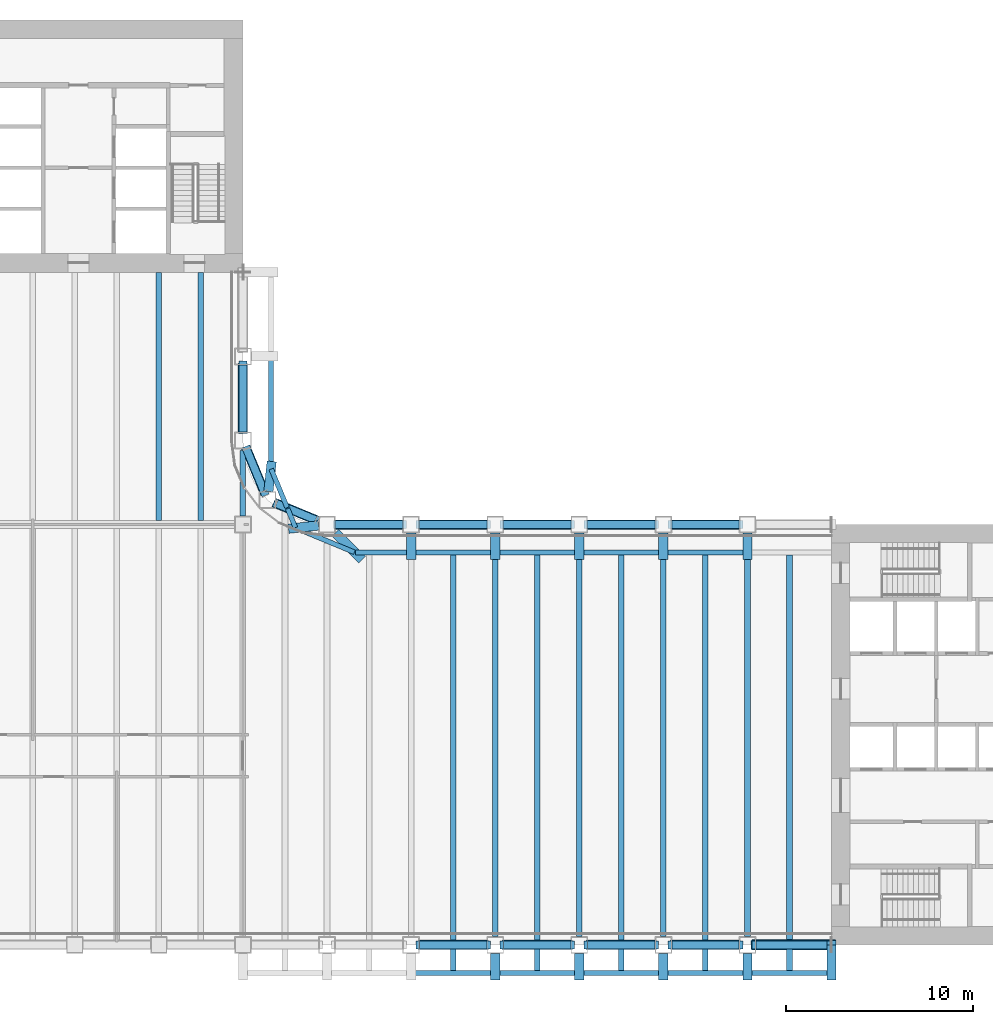
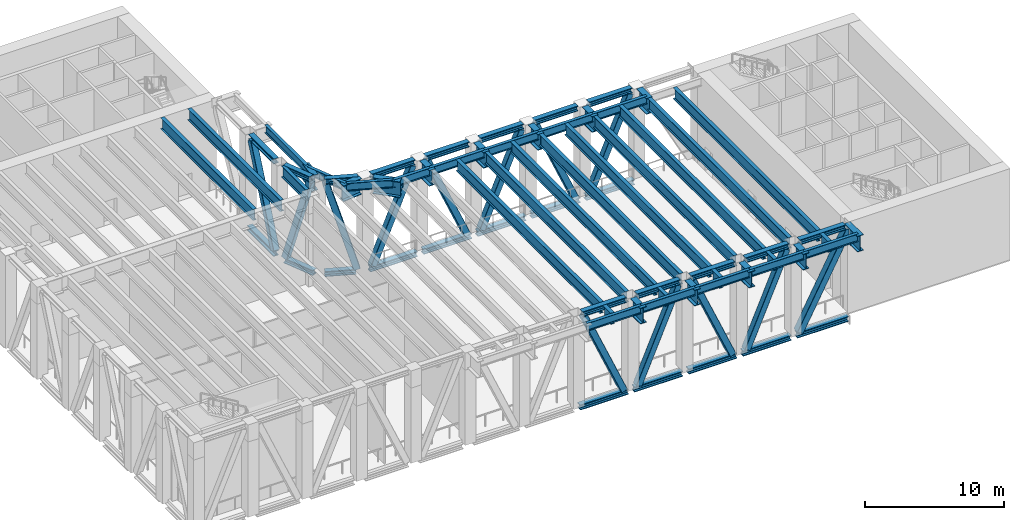
# One storey, part 2 of 16: 44 beams, 39 members.
"""IFC4 building model written with IfcOpenShell, lengths in metres."""

from ifc_helpers import new_model, si_unit, direction, frame, origin, origin_2d, place, context, subcontext, project, spatial, hollow_rectangle, i_section, extrude, material, material_profile, profile_set, type_object, element, save


model = new_model("IFC4")

# Units and contexts
model_context = context("Model", 3, precision=1e-05, world=origin(), true_north=direction((0.0, 1.0)))
body_context = subcontext(model_context, "Body", "Model", "MODEL_VIEW")
ifc_project = project(units=[si_unit("LENGTHUNIT", "METRE"), si_unit("AREAUNIT", "SQUARE_METRE"), si_unit("VOLUMEUNIT", "CUBIC_METRE"), si_unit("PLANEANGLEUNIT", "RADIAN"), si_unit("MASSUNIT", "GRAM", prefix="KILO")], contexts=[model_context])

# Site, building, storey
site_placement = place(None, origin())
site = spatial("IfcSite", under=ifc_project, at=site_placement, CompositionType="ELEMENT")
building_placement = place(site_placement, origin())
building = spatial("IfcBuilding", under=site, at=building_placement, Name="Sennacour Bend Tower", CompositionType="ELEMENT")
storey_placement = place(building_placement, frame((0.0, 0.0, 187.0)))
storey = spatial("IfcBuildingStorey", under=building, at=storey_placement, Name="L43", CompositionType="ELEMENT", Elevation=187.0)

# Members
ifc_material_1 = material(Name="Steel ASTM A992 Grade 50", Category="steel")
ifc_material_profile_1 = material_profile(ifc_material_1, i_section(OverallWidth=0.4189453125, OverallDepth=0.455078125, WebThickness=0.042236328125, FlangeThickness=0.067626953125, FilletRadius=0.01513671875, at=origin_2d()), Name="Steel ASTM A992 Grade 50", Category="steel")
ifc_profile_set_1 = profile_set([ifc_material_profile_1], Name="Steel ASTM A992 Grade 50")
member_type_1 = type_object("IfcMemberType", Name="Belt truss chord W360X551", PredefinedType="CHORD", material=ifc_profile_set_1)
member_1_placement = place(storey_placement, frame((22.5, 31.25, -0.4775390625), z_axis=(0.0, -1.0, 0.0), x_axis=(1.0, 0.0, 0.0)))
element("IfcMember", 1, at=member_1_placement, inside=storey, type_object=member_type_1, Name="Belt truss chord BC L43-005", PredefinedType="CHORD", context=body_context, shape_type="SweptSolid", body=[
    extrude(i_section(OverallWidth=0.4189453125, OverallDepth=0.455078125, WebThickness=0.042236328125, FlangeThickness=0.067626953125, FilletRadius=0.01513671875, at=origin_2d()), origin(), (0.0, 0.0, 1.0), 3.794677734375),
])
member_2_placement = place(storey_placement, frame((22.699462890625, 26.5185546875, -0.4775390625), z_axis=(0.38263523203, -0.923899496271, 0.0), x_axis=(0.923899496271, 0.38263523203, 0.0)))
element("IfcMember", 2, at=member_2_placement, inside=storey, type_object=member_type_1, Name="Belt truss chord BC L43-006", PredefinedType="CHORD", context=body_context, shape_type="SweptSolid", body=[
    extrude(i_section(OverallWidth=0.4189453125, OverallDepth=0.455078125, WebThickness=0.042236328125, FlangeThickness=0.067626953125, FilletRadius=0.01513671875, at=origin_2d()), origin(), (0.0, 0.0, 1.0), 2.66259765625),
])
member_3_placement = place(storey_placement, frame((24.29931640625, 23.61865234375, -0.4775390625), z_axis=(0.923883125943, -0.382674756939, 0.0), x_axis=(0.382674756939, 0.923883125943, 0.0)))
element("IfcMember", 3, at=member_3_placement, inside=storey, type_object=member_type_1, Name="Belt truss chord BC L43-007", PredefinedType="CHORD", context=body_context, shape_type="SweptSolid", body=[
    extrude(i_section(OverallWidth=0.4189453125, OverallDepth=0.455078125, WebThickness=0.042236328125, FlangeThickness=0.067626953125, FilletRadius=0.01513671875, at=origin_2d()), origin(), (0.0, 0.0, 1.0), 2.27001953125),
])
member_4_placement = place(storey_placement, frame((27.353515625, 22.5, -0.4775390625), z_axis=(1.0, 0.0, 0.0), x_axis=(0.0, 1.0, 0.0)))
element("IfcMember", 4, at=member_4_placement, inside=storey, type_object=member_type_1, Name="Belt truss chord BC L43-008", PredefinedType="CHORD", context=body_context, shape_type="SweptSolid", body=[
    extrude(i_section(OverallWidth=0.4189453125, OverallDepth=0.455078125, WebThickness=0.042236328125, FlangeThickness=0.067626953125, FilletRadius=0.01513671875, at=origin_2d()), origin(), (0.0, 0.0, 1.0), 3.896484375),
])
for number, where, z_axis, x_axis, name in (
    (5, (31.75, 22.5, -0.4775390625), (1.0, 0.0, 0.0), (0.0, 1.0, 0.0), "Belt truss chord BC L43-009"),
    (6, (36.25, 22.5, -0.4775390625), (1.0, 0.0, 0.0), (0.0, 1.0, 0.0), "Belt truss chord BC L43-010"),
    (7, (40.75, 22.5, -0.4775390625), (1.0, 0.0, 0.0), (0.0, 1.0, 0.0), "Belt truss chord BC L43-011"),
    (8, (45.25, 22.5, -0.4775390625), (1.0, 0.0, 0.0), (0.0, 1.0, 0.0), "Belt truss chord BC L43-012"),
):
    element("IfcMember", number, at=place(storey_placement, frame(where, z_axis=z_axis, x_axis=x_axis)), inside=storey, type_object=member_type_1, Name=name, PredefinedType="CHORD", context=body_context, shape_type="SweptSolid", body=[
        extrude(i_section(OverallWidth=0.4189453125, OverallDepth=0.455078125, WebThickness=0.042236328125, FlangeThickness=0.067626953125, FilletRadius=0.01513671875, at=origin_2d()), origin(), (0.0, 0.0, 1.0), 4.0),
    ])
member_5_placement = place(storey_placement, frame((54.0, 0.0, -0.4775390625), z_axis=(-1.0, 0.0, 0.0), x_axis=(0.0, -1.0, 0.0)))
element("IfcMember", 9, at=member_5_placement, inside=storey, type_object=member_type_1, Name="Belt truss chord BC L43-014", PredefinedType="CHORD", context=body_context, shape_type="SweptSolid", body=[
    extrude(i_section(OverallWidth=0.4189453125, OverallDepth=0.455078125, WebThickness=0.042236328125, FlangeThickness=0.067626953125, FilletRadius=0.01513671875, at=origin_2d()), origin(), (0.0, 0.0, 1.0), 4.25),
])
for number, where, z_axis, x_axis, name in (
    (10, (49.25, 0.0, -0.4775390625), (-1.0, 0.0, 0.0), (0.0, -1.0, 0.0), "Belt truss chord BC L43-015"),
    (11, (44.75, 0.0, -0.4775390625), (-1.0, 0.0, 0.0), (0.0, -1.0, 0.0), "Belt truss chord BC L43-016"),
    (12, (40.25, 0.0, -0.4775390625), (-1.0, 0.0, 0.0), (0.0, -1.0, 0.0), "Belt truss chord BC L43-017"),
    (13, (35.75, 0.0, -0.4775390625), (-1.0, 0.0, 0.0), (0.0, -1.0, 0.0), "Belt truss chord BC L43-018"),
):
    element("IfcMember", number, at=place(storey_placement, frame(where, z_axis=z_axis, x_axis=x_axis)), inside=storey, type_object=member_type_1, Name=name, PredefinedType="CHORD", context=body_context, shape_type="SweptSolid", body=[
        extrude(i_section(OverallWidth=0.4189453125, OverallDepth=0.455078125, WebThickness=0.042236328125, FlangeThickness=0.067626953125, FilletRadius=0.01513671875, at=origin_2d()), origin(), (0.0, 0.0, 1.0), 4.0),
    ])
member_6_placement = place(storey_placement, frame((22.5, 31.050048828125, 7.62255859375), z_axis=(0.0, -1.0, 0.0), x_axis=(1.0, 0.0, 0.0)))
element("IfcMember", 14, at=member_6_placement, inside=storey, type_object=member_type_1, Name="Belt truss chord BC L43-005", PredefinedType="CHORD", context=body_context, shape_type="SweptSolid", body=[
    extrude(i_section(OverallWidth=0.4189453125, OverallDepth=0.455078125, WebThickness=0.042236328125, FlangeThickness=0.067626953125, FilletRadius=0.01513671875, at=origin_2d()), origin(), (0.0, 0.0, 1.0), 3.60009765625),
])
member_7_placement = place(storey_placement, frame((22.686279296875, 26.550048828125, 7.62255859375), z_axis=(0.382714667716, -0.923866593787, 0.0), x_axis=(0.923866593787, 0.382714667716, 0.0)))
element("IfcMember", 15, at=member_7_placement, inside=storey, type_object=member_type_1, Name="Belt truss chord BC L43-006", PredefinedType="CHORD", context=body_context, shape_type="SweptSolid", body=[
    extrude(i_section(OverallWidth=0.4189453125, OverallDepth=0.455078125, WebThickness=0.042236328125, FlangeThickness=0.067626953125, FilletRadius=0.01513671875, at=origin_2d()), origin(), (0.0, 0.0, 1.0), 2.436279296875),
])
member_8_placement = place(storey_placement, frame((24.26806640625, 23.631591796875, 7.62255859375), z_axis=(0.923887350004, -0.382664558724, 0.0), x_axis=(0.382664558724, 0.923887350004, 0.0)))
element("IfcMember", 16, at=member_8_placement, inside=storey, type_object=member_type_1, Name="Belt truss chord BC L43-007", PredefinedType="CHORD", context=body_context, shape_type="SweptSolid", body=[
    extrude(i_section(OverallWidth=0.4189453125, OverallDepth=0.455078125, WebThickness=0.042236328125, FlangeThickness=0.067626953125, FilletRadius=0.01513671875, at=origin_2d()), origin(), (0.0, 0.0, 1.0), 2.435791015625),
])
for number, where, z_axis, x_axis, name in (
    (17, (27.449951171875, 22.5, 7.62255859375), (1.0, 0.0, 0.0), (0.0, 1.0, 0.0), "Belt truss chord BC L43-008"),
    (18, (31.949951171875, 22.5, 7.62255859375), (1.0, 0.0, 0.0), (0.0, 1.0, 0.0), "Belt truss chord BC L43-009"),
    (19, (36.449951171875, 22.5, 7.62255859375), (1.0, 0.0, 0.0), (0.0, 1.0, 0.0), "Belt truss chord BC L43-010"),
    (20, (40.949951171875, 22.5, 7.62255859375), (1.0, 0.0, 0.0), (0.0, 1.0, 0.0), "Belt truss chord BC L43-011"),
    (21, (45.449951171875, 22.5, 7.62255859375), (1.0, 0.0, 0.0), (0.0, 1.0, 0.0), "Belt truss chord BC L43-012"),
):
    element("IfcMember", number, at=place(storey_placement, frame(where, z_axis=z_axis, x_axis=x_axis)), inside=storey, type_object=member_type_1, Name=name, PredefinedType="CHORD", context=body_context, shape_type="SweptSolid", body=[
        extrude(i_section(OverallWidth=0.4189453125, OverallDepth=0.455078125, WebThickness=0.042236328125, FlangeThickness=0.067626953125, FilletRadius=0.01513671875, at=origin_2d()), origin(), (0.0, 0.0, 1.0), 3.60009765625),
    ])
member_9_placement = place(storey_placement, frame((53.75, 0.0, 7.62255859375), z_axis=(-1.0, 0.0, 0.0), x_axis=(0.0, -1.0, 0.0)))
element("IfcMember", 22, at=member_9_placement, inside=storey, type_object=member_type_1, Name="Belt truss chord BC L43-014", PredefinedType="CHORD", context=body_context, shape_type="SweptSolid", body=[
    extrude(i_section(OverallWidth=0.4189453125, OverallDepth=0.455078125, WebThickness=0.042236328125, FlangeThickness=0.067626953125, FilletRadius=0.01513671875, at=origin_2d()), origin(), (0.0, 0.0, 1.0), 3.800048828125),
])
for number, where, z_axis, x_axis, name in (
    (23, (49.050048828125, 0.0, 7.62255859375), (-1.0, 0.0, 0.0), (0.0, -1.0, 0.0), "Belt truss chord BC L43-015"),
    (24, (44.550048828125, 0.0, 7.62255859375), (-1.0, 0.0, 0.0), (0.0, -1.0, 0.0), "Belt truss chord BC L43-016"),
    (25, (40.050048828125, 0.0, 7.62255859375), (-1.0, 0.0, 0.0), (0.0, -1.0, 0.0), "Belt truss chord BC L43-017"),
    (26, (35.550048828125, 0.0, 7.62255859375), (-1.0, 0.0, 0.0), (0.0, -1.0, 0.0), "Belt truss chord BC L43-018"),
):
    element("IfcMember", number, at=place(storey_placement, frame(where, z_axis=z_axis, x_axis=x_axis)), inside=storey, type_object=member_type_1, Name=name, PredefinedType="CHORD", context=body_context, shape_type="SweptSolid", body=[
        extrude(i_section(OverallWidth=0.4189453125, OverallDepth=0.455078125, WebThickness=0.042236328125, FlangeThickness=0.067626953125, FilletRadius=0.01513671875, at=origin_2d()), origin(), (0.0, 0.0, 1.0), 3.60009765625),
    ])
ifc_material_2 = material(Name="Steel ASTM A500 Grade C", Category="steel")
ifc_material_profile_2 = material_profile(ifc_material_2, hollow_rectangle(XDim=0.508056640625, YDim=0.508056640625, WallThickness=0.01904296875, InnerFilletRadius=0.01904296875, OuterFilletRadius=0.0380859375, at=origin_2d()), Name="Steel ASTM A500 Grade C", Category="steel")
ifc_profile_set_2 = profile_set([ifc_material_profile_2], Name="Steel ASTM A500 Grade C")
member_type_2 = type_object("IfcMemberType", Name="Belt truss diagonal 508", PredefinedType="BRACE", material=ifc_profile_set_2)
member_10_placement = place(storey_placement, frame((22.5, 30.89990234375, 7.39501953125), z_axis=(0.0, -0.396288862431, -0.918125883261), x_axis=(1.0, 0.0, 0.0)))
element("IfcMember", 27, at=member_10_placement, inside=storey, type_object=member_type_2, Name="Belt truss diagonal BD L43-003", PredefinedType="BRACE", context=body_context, shape_type="SweptSolid", body=[
    extrude(hollow_rectangle(XDim=0.508056640625, YDim=0.508056640625, WallThickness=0.01904296875, InnerFilletRadius=0.01904296875, OuterFilletRadius=0.0380859375, at=origin_2d()), origin(), (0.0, 0.0, 1.0), 8.32666015625),
])
for number, where, z_axis, x_axis, name in (
    (28, (22.7294921875, 26.445556640625, -0.25), (0.107797679675, -0.260209748663, 0.959515787758), (0.923860359941, 0.382729715765, 0.0), "Belt truss diagonal BD L43-004"),
    (29, (24.372314453125, 23.58837890625, 7.39501953125), (0.260209748663, -0.107797679675, -0.959515787758), (0.382729715765, 0.923860359941, 0.0), "Belt truss diagonal BD L43-005"),
):
    element("IfcMember", number, at=place(storey_placement, frame(where, z_axis=z_axis, x_axis=x_axis)), inside=storey, type_object=member_type_2, Name=name, PredefinedType="BRACE", context=body_context, shape_type="SweptSolid", body=[
        extrude(hollow_rectangle(XDim=0.508056640625, YDim=0.508056640625, WallThickness=0.01904296875, InnerFilletRadius=0.01904296875, OuterFilletRadius=0.0380859375, at=origin_2d()), origin(), (0.0, 0.0, 1.0), 7.967529296875),
    ])
for number, where, z_axis, x_axis, name in (
    (30, (27.60009765625, 22.5, -0.25), (0.396288862431, 0.0, 0.918125883261), (0.0, 1.0, 0.0), "Belt truss diagonal BD L43-006"),
    (31, (32.10009765625, 22.5, 7.39501953125), (0.396288862431, 0.0, -0.918125883261), (0.0, 1.0, 0.0), "Belt truss diagonal BD L43-007"),
    (32, (36.60009765625, 22.5, -0.25), (0.396288862431, 0.0, 0.918125883261), (0.0, 1.0, 0.0), "Belt truss diagonal BD L43-008"),
    (33, (41.10009765625, 22.5, 7.39501953125), (0.396288862431, 0.0, -0.918125883261), (0.0, 1.0, 0.0), "Belt truss diagonal BD L43-009"),
    (34, (45.60009765625, 22.5, -0.25), (0.396288862431, 0.0, 0.918125883261), (0.0, 1.0, 0.0), "Belt truss diagonal BD L43-010"),
    (35, (48.89990234375, 0.0, 7.39501953125), (-0.396288862431, 0.0, -0.918125883261), (0.0, -1.0, 0.0), "Belt truss diagonal BD L43-011"),
    (36, (44.39990234375, 0.0, -0.25), (-0.396288862431, 0.0, 0.918125883261), (0.0, -1.0, 0.0), "Belt truss diagonal BD L43-012"),
    (37, (39.89990234375, 0.0, 7.39501953125), (-0.396288862431, 0.0, -0.918125883261), (0.0, -1.0, 0.0), "Belt truss diagonal BD L43-013"),
    (38, (35.39990234375, 0.0, -0.25), (-0.396288862431, 0.0, 0.918125883261), (0.0, -1.0, 0.0), "Belt truss diagonal BD L43-014"),
):
    element("IfcMember", number, at=place(storey_placement, frame(where, z_axis=z_axis, x_axis=x_axis)), inside=storey, type_object=member_type_2, Name=name, PredefinedType="BRACE", context=body_context, shape_type="SweptSolid", body=[
        extrude(hollow_rectangle(XDim=0.508056640625, YDim=0.508056640625, WallThickness=0.01904296875, InnerFilletRadius=0.01904296875, OuterFilletRadius=0.0380859375, at=origin_2d()), origin(), (0.0, 0.0, 1.0), 8.32666015625),
    ])

# Beams
ifc_material_profile_3 = material_profile(ifc_material_1, i_section(OverallWidth=0.300048828125, OverallDepth=0.97998046875, WebThickness=0.0166015625, FlangeThickness=0.026123046875, FilletRadius=0.02978515625, at=origin_2d()), Name="Steel ASTM A992 Grade 50", Category="steel")
ifc_profile_set_3 = profile_set([ifc_material_profile_3], Name="Steel ASTM A992 Grade 50")
beam_type_1 = type_object("IfcBeamType", Name="Floor beam W1000X249", PredefinedType="BEAM", material=ifc_profile_set_3)
for number, where, z_axis, x_axis, name in (
    (39, (18.0, 22.72509765625, 7.360107421875), (0.0, 1.0, 0.0), (-1.0, 0.0, 0.0), "Floor beam FBM2 L44-016"),
    (40, (20.25, 22.72509765625, 7.360107421875), (0.0, 1.0, 0.0), (-1.0, 0.0, 0.0), "Floor beam FBM2 L44-018"),
):
    element("IfcBeam", number, at=place(storey_placement, frame(where, z_axis=z_axis, x_axis=x_axis)), inside=storey, type_object=beam_type_1, Name=name, PredefinedType="BEAM", context=body_context, shape_type="SweptSolid", body=[
        extrude(i_section(OverallWidth=0.300048828125, OverallDepth=0.97998046875, WebThickness=0.0166015625, FlangeThickness=0.026123046875, FilletRadius=0.02978515625, at=origin_2d()), origin(), (0.0, 0.0, 1.0), 13.27490234375),
    ])
beam_1_placement = place(storey_placement, frame((22.5, 22.949951171875, 7.360107421875), z_axis=(0.0, 1.0, 0.0), x_axis=(-1.0, 0.0, 0.0)))
element("IfcBeam", 41, at=beam_1_placement, inside=storey, type_object=beam_type_1, Name="Floor beam FBM2 L44-020", PredefinedType="BEAM", context=body_context, shape_type="SweptSolid", body=[
    extrude(i_section(OverallWidth=0.300048828125, OverallDepth=0.97998046875, WebThickness=0.0166015625, FlangeThickness=0.026123046875, FilletRadius=0.02978515625, at=origin_2d()), origin(), (0.0, 0.0, 1.0), 3.502685546875),
])
beam_2_placement = place(storey_placement, frame((33.75, -1.37158203125, 7.360107421875), z_axis=(0.0, 1.0, 0.0), x_axis=(-1.0, 0.0, 0.0)))
element("IfcBeam", 42, at=beam_2_placement, inside=storey, type_object=beam_type_1, Name="Floor beam FBM2 L44-027", PredefinedType="BEAM", context=body_context, shape_type="SweptSolid", body=[
    extrude(i_section(OverallWidth=0.300048828125, OverallDepth=0.97998046875, WebThickness=0.0166015625, FlangeThickness=0.026123046875, FilletRadius=0.02978515625, at=origin_2d()), origin(), (0.0, 0.0, 1.0), 1.162109375),
])
beam_3_placement = place(storey_placement, frame((33.75, 0.20947265625, 7.360107421875), z_axis=(0.0, 1.0, 0.0), x_axis=(-1.0, 0.0, 0.0)))
element("IfcBeam", 43, at=beam_3_placement, inside=storey, type_object=beam_type_1, Name="Floor beam FBM2 L44-028", PredefinedType="BEAM", context=body_context, shape_type="SweptSolid", body=[
    extrude(i_section(OverallWidth=0.300048828125, OverallDepth=0.97998046875, WebThickness=0.0166015625, FlangeThickness=0.026123046875, FilletRadius=0.02978515625, at=origin_2d()), origin(), (0.0, 0.0, 1.0), 20.662109375),
])
beam_4_placement = place(storey_placement, frame((36.0, 0.449951171875, 7.360107421875), z_axis=(0.0, 1.0, 0.0), x_axis=(-1.0, 0.0, 0.0)))
element("IfcBeam", 44, at=beam_4_placement, inside=storey, type_object=beam_type_1, Name="Floor beam FBM2 L44-029", PredefinedType="BEAM", context=body_context, shape_type="SweptSolid", body=[
    extrude(i_section(OverallWidth=0.300048828125, OverallDepth=0.97998046875, WebThickness=0.0166015625, FlangeThickness=0.026123046875, FilletRadius=0.02978515625, at=origin_2d()), origin(), (0.0, 0.0, 1.0), 20.175048828125),
])
beam_5_placement = place(storey_placement, frame((38.25, -1.37158203125, 7.360107421875), z_axis=(0.0, 1.0, 0.0), x_axis=(-1.0, 0.0, 0.0)))
element("IfcBeam", 45, at=beam_5_placement, inside=storey, type_object=beam_type_1, Name="Floor beam FBM2 L44-030", PredefinedType="BEAM", context=body_context, shape_type="SweptSolid", body=[
    extrude(i_section(OverallWidth=0.300048828125, OverallDepth=0.97998046875, WebThickness=0.0166015625, FlangeThickness=0.026123046875, FilletRadius=0.02978515625, at=origin_2d()), origin(), (0.0, 0.0, 1.0), 1.162109375),
])
beam_6_placement = place(storey_placement, frame((38.25, 0.20947265625, 7.360107421875), z_axis=(0.0, 1.0, 0.0), x_axis=(-1.0, 0.0, 0.0)))
element("IfcBeam", 46, at=beam_6_placement, inside=storey, type_object=beam_type_1, Name="Floor beam FBM2 L44-031", PredefinedType="BEAM", context=body_context, shape_type="SweptSolid", body=[
    extrude(i_section(OverallWidth=0.300048828125, OverallDepth=0.97998046875, WebThickness=0.0166015625, FlangeThickness=0.026123046875, FilletRadius=0.02978515625, at=origin_2d()), origin(), (0.0, 0.0, 1.0), 20.662109375),
])
beam_7_placement = place(storey_placement, frame((40.5, 0.449951171875, 7.360107421875), z_axis=(0.0, 1.0, 0.0), x_axis=(-1.0, 0.0, 0.0)))
element("IfcBeam", 47, at=beam_7_placement, inside=storey, type_object=beam_type_1, Name="Floor beam FBM2 L44-032", PredefinedType="BEAM", context=body_context, shape_type="SweptSolid", body=[
    extrude(i_section(OverallWidth=0.300048828125, OverallDepth=0.97998046875, WebThickness=0.0166015625, FlangeThickness=0.026123046875, FilletRadius=0.02978515625, at=origin_2d()), origin(), (0.0, 0.0, 1.0), 20.175048828125),
])
beam_8_placement = place(storey_placement, frame((42.75, -1.37158203125, 7.360107421875), z_axis=(0.0, 1.0, 0.0), x_axis=(-1.0, 0.0, 0.0)))
element("IfcBeam", 48, at=beam_8_placement, inside=storey, type_object=beam_type_1, Name="Floor beam FBM2 L44-033", PredefinedType="BEAM", context=body_context, shape_type="SweptSolid", body=[
    extrude(i_section(OverallWidth=0.300048828125, OverallDepth=0.97998046875, WebThickness=0.0166015625, FlangeThickness=0.026123046875, FilletRadius=0.02978515625, at=origin_2d()), origin(), (0.0, 0.0, 1.0), 1.162109375),
])
beam_9_placement = place(storey_placement, frame((42.75, 0.20947265625, 7.360107421875), z_axis=(0.0, 1.0, 0.0), x_axis=(-1.0, 0.0, 0.0)))
element("IfcBeam", 49, at=beam_9_placement, inside=storey, type_object=beam_type_1, Name="Floor beam FBM2 L44-034", PredefinedType="BEAM", context=body_context, shape_type="SweptSolid", body=[
    extrude(i_section(OverallWidth=0.300048828125, OverallDepth=0.97998046875, WebThickness=0.0166015625, FlangeThickness=0.026123046875, FilletRadius=0.02978515625, at=origin_2d()), origin(), (0.0, 0.0, 1.0), 20.662109375),
])
beam_10_placement = place(storey_placement, frame((45.0, 0.449951171875, 7.360107421875), z_axis=(0.0, 1.0, 0.0), x_axis=(-1.0, 0.0, 0.0)))
element("IfcBeam", 50, at=beam_10_placement, inside=storey, type_object=beam_type_1, Name="Floor beam FBM2 L44-035", PredefinedType="BEAM", context=body_context, shape_type="SweptSolid", body=[
    extrude(i_section(OverallWidth=0.300048828125, OverallDepth=0.97998046875, WebThickness=0.0166015625, FlangeThickness=0.026123046875, FilletRadius=0.02978515625, at=origin_2d()), origin(), (0.0, 0.0, 1.0), 20.175048828125),
])
beam_11_placement = place(storey_placement, frame((47.25, -1.37158203125, 7.360107421875), z_axis=(0.0, 1.0, 0.0), x_axis=(-1.0, 0.0, 0.0)))
element("IfcBeam", 51, at=beam_11_placement, inside=storey, type_object=beam_type_1, Name="Floor beam FBM2 L44-036", PredefinedType="BEAM", context=body_context, shape_type="SweptSolid", body=[
    extrude(i_section(OverallWidth=0.300048828125, OverallDepth=0.97998046875, WebThickness=0.0166015625, FlangeThickness=0.026123046875, FilletRadius=0.02978515625, at=origin_2d()), origin(), (0.0, 0.0, 1.0), 1.162109375),
])
beam_12_placement = place(storey_placement, frame((47.25, 0.20947265625, 7.360107421875), z_axis=(0.0, 1.0, 0.0), x_axis=(-1.0, 0.0, 0.0)))
element("IfcBeam", 52, at=beam_12_placement, inside=storey, type_object=beam_type_1, Name="Floor beam FBM2 L44-037", PredefinedType="BEAM", context=body_context, shape_type="SweptSolid", body=[
    extrude(i_section(OverallWidth=0.300048828125, OverallDepth=0.97998046875, WebThickness=0.0166015625, FlangeThickness=0.026123046875, FilletRadius=0.02978515625, at=origin_2d()), origin(), (0.0, 0.0, 1.0), 20.662109375),
])
beam_13_placement = place(storey_placement, frame((49.5, 0.449951171875, 7.360107421875), z_axis=(0.0, 1.0, 0.0), x_axis=(-1.0, 0.0, 0.0)))
element("IfcBeam", 53, at=beam_13_placement, inside=storey, type_object=beam_type_1, Name="Floor beam FBM2 L44-038", PredefinedType="BEAM", context=body_context, shape_type="SweptSolid", body=[
    extrude(i_section(OverallWidth=0.300048828125, OverallDepth=0.97998046875, WebThickness=0.0166015625, FlangeThickness=0.026123046875, FilletRadius=0.02978515625, at=origin_2d()), origin(), (0.0, 0.0, 1.0), 20.175048828125),
])
beam_14_placement = place(storey_placement, frame((51.75, -1.37158203125, 7.360107421875), z_axis=(0.0, 1.0, 0.0), x_axis=(-1.0, 0.0, 0.0)))
element("IfcBeam", 54, at=beam_14_placement, inside=storey, type_object=beam_type_1, Name="Floor beam FBM2 L44-039", PredefinedType="BEAM", context=body_context, shape_type="SweptSolid", body=[
    extrude(i_section(OverallWidth=0.300048828125, OverallDepth=0.97998046875, WebThickness=0.0166015625, FlangeThickness=0.026123046875, FilletRadius=0.02978515625, at=origin_2d()), origin(), (0.0, 0.0, 1.0), 1.162109375),
])
beam_15_placement = place(storey_placement, frame((51.75, 0.20947265625, 7.360107421875), z_axis=(0.0, 1.0, 0.0), x_axis=(-1.0, 0.0, 0.0)))
element("IfcBeam", 55, at=beam_15_placement, inside=storey, type_object=beam_type_1, Name="Floor beam FBM2 L44-040", PredefinedType="BEAM", context=body_context, shape_type="SweptSolid", body=[
    extrude(i_section(OverallWidth=0.300048828125, OverallDepth=0.97998046875, WebThickness=0.0166015625, FlangeThickness=0.026123046875, FilletRadius=0.02978515625, at=origin_2d()), origin(), (0.0, 0.0, 1.0), 20.662109375),
])

# Member
ifc_material_profile_4 = material_profile(ifc_material_2, hollow_rectangle(XDim=0.558837890625, YDim=0.558837890625, WallThickness=0.01904296875, InnerFilletRadius=0.01904296875, OuterFilletRadius=0.0380859375, at=origin_2d()), Name="Steel ASTM A500 Grade C", Category="steel")
ifc_profile_set_4 = profile_set([ifc_material_profile_4], Name="Steel ASTM A500 Grade C")
member_type_3 = type_object("IfcMemberType", Name="Outrigger truss diagonal 559", PredefinedType="BRACE", material=ifc_profile_set_4)
member_11_placement = place(storey_placement, frame((49.949951171875, 0.0, -0.25), z_axis=(0.468130160087, 0.0, 0.883659523356), x_axis=(0.0, 1.0, 0.0)))
element("IfcMember", 56, at=member_11_placement, inside=storey, type_object=member_type_3, Name="Outrigger truss diagonal OD L43-002", PredefinedType="BRACE", context=body_context, shape_type="SweptSolid", body=[
    extrude(hollow_rectangle(XDim=0.558837890625, YDim=0.558837890625, WallThickness=0.01904296875, InnerFilletRadius=0.01904296875, OuterFilletRadius=0.0380859375, at=origin_2d()), origin(), (0.0, 0.0, 1.0), 8.651611328125),
])

# Beams
ifc_material_profile_5 = material_profile(ifc_material_1, i_section(OverallWidth=0.257080078125, OverallDepth=0.693115234375, WebThickness=0.014404296875, FlangeThickness=0.023681640625, FilletRadius=0.015380859375, at=origin_2d()), Name="Steel ASTM A992 Grade 50", Category="steel")
ifc_profile_set_5 = profile_set([ifc_material_profile_5], Name="Steel ASTM A992 Grade 50")
beam_type_2 = type_object("IfcBeamType", Name="Spandrel beam W690X170", PredefinedType="SPANDREL", material=ifc_profile_set_5)
beam_16_placement = place(storey_placement, frame((24.0, 31.485107421875, 7.50341796875), z_axis=(0.0, -1.0, 0.0), x_axis=(1.0, 0.0, 0.0)))
element("IfcBeam", 57, at=beam_16_placement, inside=storey, type_object=beam_type_2, Name="Spandrel beam SP5 L44-005", PredefinedType="SPANDREL", context=body_context, shape_type="SweptSolid", body=[
    extrude(i_section(OverallWidth=0.257080078125, OverallDepth=0.693115234375, WebThickness=0.014404296875, FlangeThickness=0.023681640625, FilletRadius=0.015380859375, at=origin_2d()), origin(), (0.0, 0.0, 1.0), 5.845703125),
])
beam_17_placement = place(storey_placement, frame((24.011962890625, 25.47119140625, 7.50341796875), z_axis=(0.382644430213, -0.923895686767, 0.0), x_axis=(0.923895686767, 0.382644430213, 0.0)))
element("IfcBeam", 58, at=beam_17_placement, inside=storey, type_object=beam_type_2, Name="Spandrel beam SP5 L44-006", PredefinedType="SPANDREL", context=body_context, shape_type="SweptSolid", body=[
    extrude(i_section(OverallWidth=0.257080078125, OverallDepth=0.693115234375, WebThickness=0.014404296875, FlangeThickness=0.023681640625, FilletRadius=0.015380859375, at=origin_2d()), origin(), (0.0, 0.0, 1.0), 2.235107421875),
])
beam_18_placement = place(storey_placement, frame((24.89013671875, 23.35107421875, 7.50341796875), z_axis=(0.38266472277, -0.923887282057, 0.0), x_axis=(0.923887282057, 0.38266472277, 0.0)))
element("IfcBeam", 59, at=beam_18_placement, inside=storey, type_object=beam_type_2, Name="Spandrel beam SP5 L44-007", PredefinedType="SPANDREL", context=body_context, shape_type="SweptSolid", body=[
    extrude(i_section(OverallWidth=0.257080078125, OverallDepth=0.693115234375, WebThickness=0.014404296875, FlangeThickness=0.023681640625, FilletRadius=0.015380859375, at=origin_2d()), origin(), (0.0, 0.0, 1.0), 1.1025390625),
])
beam_19_placement = place(storey_placement, frame((25.346923828125, 22.30615234375, 7.50341796875), z_axis=(0.923860715481, -0.382728857537, 0.0), x_axis=(0.382728857537, 0.923860715481, 0.0)))
element("IfcBeam", 60, at=beam_19_placement, inside=storey, type_object=beam_type_2, Name="Spandrel beam SP5 L44-008", PredefinedType="SPANDREL", context=body_context, shape_type="SweptSolid", body=[
    extrude(i_section(OverallWidth=0.257080078125, OverallDepth=0.693115234375, WebThickness=0.014404296875, FlangeThickness=0.023681640625, FilletRadius=0.015380859375, at=origin_2d()), origin(), (0.0, 0.0, 1.0), 3.373779296875),
])
beam_20_placement = place(storey_placement, frame((28.521240234375, 21.0, 7.50341796875), z_axis=(1.0, 0.0, 0.0), x_axis=(0.0, 1.0, 0.0)))
element("IfcBeam", 61, at=beam_20_placement, inside=storey, type_object=beam_type_2, Name="Spandrel beam SP5 L44-009", PredefinedType="SPANDREL", context=body_context, shape_type="SweptSolid", body=[
    extrude(i_section(OverallWidth=0.257080078125, OverallDepth=0.693115234375, WebThickness=0.014404296875, FlangeThickness=0.023681640625, FilletRadius=0.015380859375, at=origin_2d()), origin(), (0.0, 0.0, 1.0), 2.9638671875),
])
for number, where, z_axis, x_axis, name in (
    (62, (31.514892578125, 21.0, 7.50341796875), (1.0, 0.0, 0.0), (0.0, 1.0, 0.0), "Spandrel beam SP5 L44-010"),
    (63, (36.014892578125, 21.0, 7.50341796875), (1.0, 0.0, 0.0), (0.0, 1.0, 0.0), "Spandrel beam SP5 L44-011"),
    (64, (40.514892578125, 21.0, 7.50341796875), (1.0, 0.0, 0.0), (0.0, 1.0, 0.0), "Spandrel beam SP5 L44-012"),
    (65, (45.014892578125, 21.0, 7.50341796875), (1.0, 0.0, 0.0), (0.0, 1.0, 0.0), "Spandrel beam SP5 L44-013"),
    (66, (53.985107421875, -1.5, 7.50341796875), (-1.0, 0.0, 0.0), (0.0, -1.0, 0.0), "Spandrel beam SP5 L44-015"),
    (67, (49.485107421875, -1.5, 7.50341796875), (-1.0, 0.0, 0.0), (0.0, -1.0, 0.0), "Spandrel beam SP5 L44-016"),
    (68, (44.985107421875, -1.5, 7.50341796875), (-1.0, 0.0, 0.0), (0.0, -1.0, 0.0), "Spandrel beam SP5 L44-017"),
    (69, (40.485107421875, -1.5, 7.50341796875), (-1.0, 0.0, 0.0), (0.0, -1.0, 0.0), "Spandrel beam SP5 L44-018"),
    (70, (35.985107421875, -1.5, 7.50341796875), (-1.0, 0.0, 0.0), (0.0, -1.0, 0.0), "Spandrel beam SP5 L44-019"),
):
    element("IfcBeam", number, at=place(storey_placement, frame(where, z_axis=z_axis, x_axis=x_axis)), inside=storey, type_object=beam_type_2, Name=name, PredefinedType="SPANDREL", context=body_context, shape_type="SweptSolid", body=[
        extrude(i_section(OverallWidth=0.257080078125, OverallDepth=0.693115234375, WebThickness=0.014404296875, FlangeThickness=0.023681640625, FilletRadius=0.015380859375, at=origin_2d()), origin(), (0.0, 0.0, 1.0), 4.47021484375),
    ])
ifc_material_3 = material(Name="Steel ASTM A572 Grade 50", Category="steel")
ifc_material_profile_6 = material_profile(ifc_material_3, i_section(OverallWidth=0.5, OverallDepth=1.39990234375, WebThickness=0.030029296875, FlangeThickness=0.054931640625, at=origin_2d()), Name="Steel ASTM A572 Grade 50", Category="steel")
ifc_profile_set_6 = profile_set([ifc_material_profile_6], Name="Steel ASTM A572 Grade 50")
beam_type_3 = type_object("IfcBeamType", Name="Transfer stub 1400", PredefinedType="USERDEFINED", material=ifc_profile_set_6)
beam_21_placement = place(storey_placement, frame((23.86669921875, 24.26806640625, 7.14990234375), z_axis=(0.107546406369, 0.994200065619, 0.0), x_axis=(-0.994200065619, 0.107546406369, 0.0)))
element("IfcBeam", 71, at=beam_21_placement, inside=storey, type_object=beam_type_3, Name="Transfer beam TS L44-005", ObjectType="TRANSFER BEAM", PredefinedType="USERDEFINED", context=body_context, shape_type="SweptSolid", body=[
    extrude(i_section(OverallWidth=0.5, OverallDepth=1.39990234375, WebThickness=0.030029296875, FlangeThickness=0.054931640625, at=origin_2d()), origin(), (0.0, 0.0, 1.0), 1.6162109375),
])
beam_22_placement = place(storey_placement, frame((26.550048828125, 22.451416015625, 7.14990234375), z_axis=(-0.994183904185, -0.107695703993, 0.0), x_axis=(0.107695703993, -0.994183904185, 0.0)))
element("IfcBeam", 72, at=beam_22_placement, inside=storey, type_object=beam_type_3, Name="Transfer beam TS L44-008", ObjectType="TRANSFER BEAM", PredefinedType="USERDEFINED", context=body_context, shape_type="SweptSolid", body=[
    extrude(i_section(OverallWidth=0.5, OverallDepth=1.39990234375, WebThickness=0.030029296875, FlangeThickness=0.054931640625, at=origin_2d()), origin(), (0.0, 0.0, 1.0), 1.616455078125),
])
beam_23_placement = place(storey_placement, frame((27.449951171875, 22.050048828125, 7.14990234375), z_axis=(0.707106781187, -0.707106781187, 0.0), x_axis=(0.707106781187, 0.707106781187, 0.0)))
element("IfcBeam", 73, at=beam_23_placement, inside=storey, type_object=beam_type_3, Name="Transfer beam TS L44-010", ObjectType="TRANSFER BEAM", PredefinedType="USERDEFINED", context=body_context, shape_type="SweptSolid", body=[
    extrude(i_section(OverallWidth=0.5, OverallDepth=1.39990234375, WebThickness=0.030029296875, FlangeThickness=0.054931640625, at=origin_2d()), origin(), (0.0, 0.0, 1.0), 2.015380859375),
])
for number, where, z_axis, x_axis, name in (
    (74, (31.5, 22.050048828125, 7.14990234375), (0.0, -1.0, 0.0), (1.0, 0.0, 0.0), "Transfer beam TS L44-012"),
    (75, (36.0, -0.449951171875, 7.14990234375), (0.0, -1.0, 0.0), (1.0, 0.0, 0.0), "Transfer beam TS L44-013"),
    (76, (36.0, 22.050048828125, 7.14990234375), (0.0, -1.0, 0.0), (1.0, 0.0, 0.0), "Transfer beam TS L44-014"),
    (77, (40.5, -0.449951171875, 7.14990234375), (0.0, -1.0, 0.0), (1.0, 0.0, 0.0), "Transfer beam TS L44-015"),
    (78, (40.5, 22.050048828125, 7.14990234375), (0.0, -1.0, 0.0), (1.0, 0.0, 0.0), "Transfer beam TS L44-016"),
    (79, (45.0, -0.449951171875, 7.14990234375), (0.0, -1.0, 0.0), (1.0, 0.0, 0.0), "Transfer beam TS L44-017"),
    (80, (45.0, 22.050048828125, 7.14990234375), (0.0, -1.0, 0.0), (1.0, 0.0, 0.0), "Transfer beam TS L44-018"),
    (81, (49.5, -0.449951171875, 7.14990234375), (0.0, -1.0, 0.0), (1.0, 0.0, 0.0), "Transfer beam TS L44-019"),
    (82, (49.5, 22.050048828125, 7.14990234375), (0.0, -1.0, 0.0), (1.0, 0.0, 0.0), "Transfer beam TS L44-020"),
):
    element("IfcBeam", number, at=place(storey_placement, frame(where, z_axis=z_axis, x_axis=x_axis)), inside=storey, type_object=beam_type_3, Name=name, ObjectType="TRANSFER BEAM", PredefinedType="USERDEFINED", context=body_context, shape_type="SweptSolid", body=[
        extrude(i_section(OverallWidth=0.5, OverallDepth=1.39990234375, WebThickness=0.030029296875, FlangeThickness=0.054931640625, at=origin_2d()), origin(), (0.0, 0.0, 1.0), 1.425048828125),
    ])
beam_24_placement = place(storey_placement, frame((54.0, 0.0, 7.14990234375), z_axis=(0.0, -1.0, 0.0), x_axis=(1.0, 0.0, 0.0)))
element("IfcBeam", 83, at=beam_24_placement, inside=storey, type_object=beam_type_3, Name="Transfer beam TS L44-021", ObjectType="TRANSFER BEAM", PredefinedType="USERDEFINED", context=body_context, shape_type="SweptSolid", body=[
    extrude(i_section(OverallWidth=0.5, OverallDepth=1.39990234375, WebThickness=0.030029296875, FlangeThickness=0.054931640625, at=origin_2d()), origin(), (0.0, 0.0, 1.0), 1.875),
])

save(model, "model.ifc")
